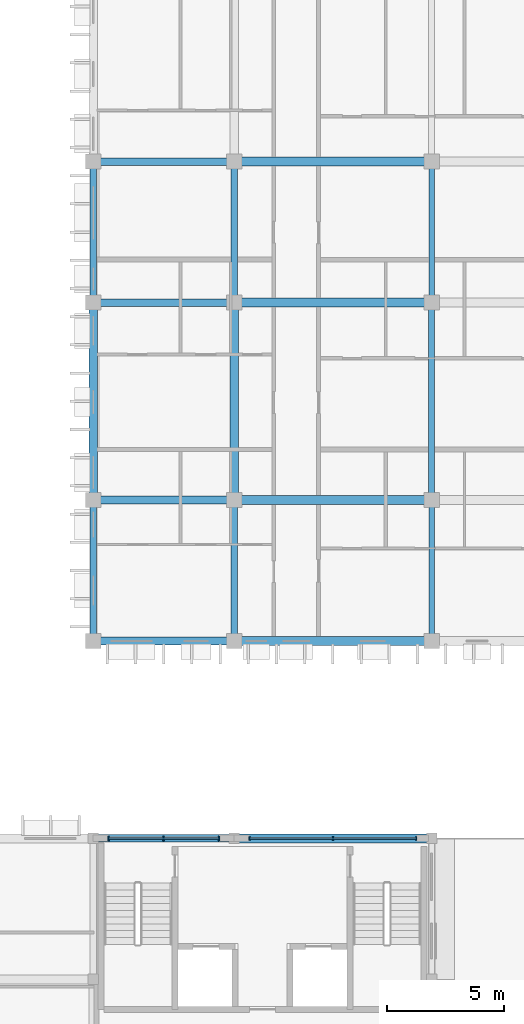
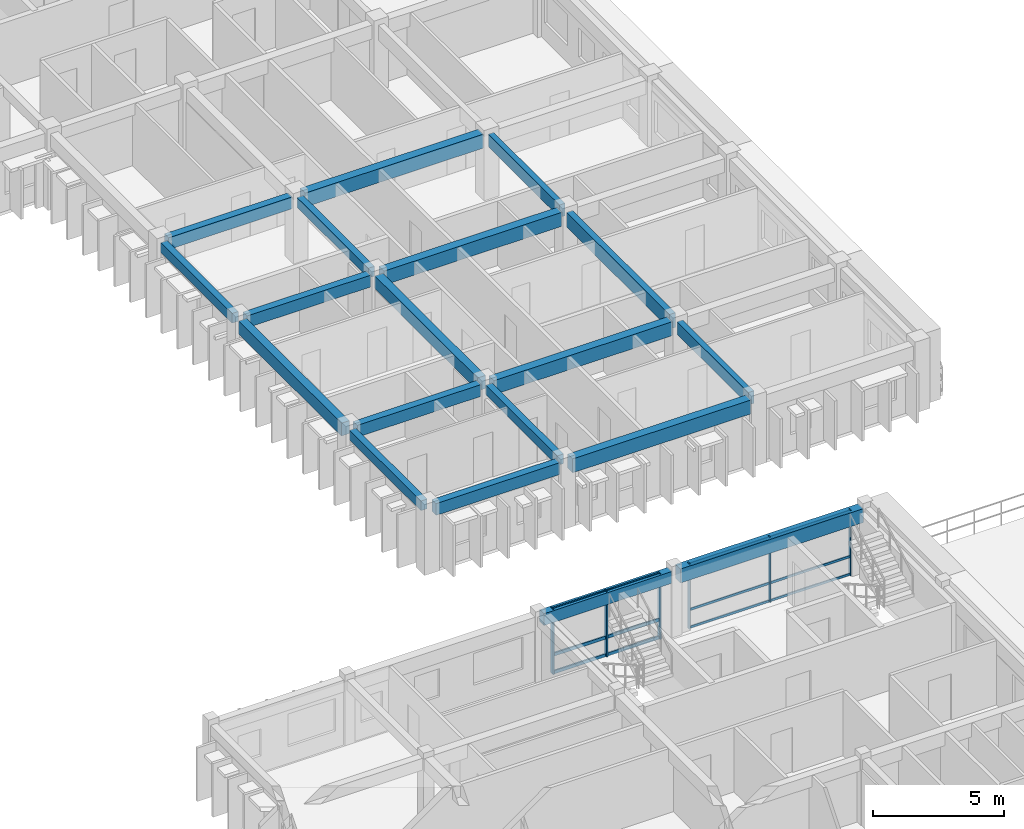
# One storey, part 7 of 66: 19 beams, 12 members, 2 elements without a shape of their own.
"""IFC4 building model written with IfcOpenShell, lengths in metres."""

from ifc_helpers import new_model, si_unit, direction, frame, origin, origin_2d, place, context, subcontext, project, spatial, rectangle, extrude, material, material_profile, profile_set, type_object, element, aggregate, save


model = new_model("IFC4")

# Units and contexts
model_context = context("Model", 3, precision=1e-05, world=origin(), true_north=direction((0.0, 1.0)))
body_context = subcontext(model_context, "Body", "Model", "MODEL_VIEW")
ifc_project = project(units=[si_unit("LENGTHUNIT", "METRE"), si_unit("AREAUNIT", "SQUARE_METRE"), si_unit("VOLUMEUNIT", "CUBIC_METRE"), si_unit("PLANEANGLEUNIT", "RADIAN"), si_unit("MASSUNIT", "GRAM", prefix="KILO"), si_unit("THERMODYNAMICTEMPERATUREUNIT", "KELVIN")], contexts=[model_context])

# Site, building, storey
site_placement = place(None, origin())
site = spatial("IfcSite", under=ifc_project, at=site_placement, CompositionType="ELEMENT")
building_placement = place(site_placement, origin())
building = spatial("IfcBuilding", under=site, at=building_placement, Name="Thalorik Housing Commons", CompositionType="ELEMENT")
storey_placement = place(building_placement, frame((0.0, 0.0, 21.300048828125)))
storey = spatial("IfcBuildingStorey", under=building, at=storey_placement, Name="L06", CompositionType="ELEMENT", Elevation=21.300048828125)

# Curtain wall, members
ifc_material_1 = material(Name="Anodised aluminium and solar-control low-E glass", Category="aluminium")
curtain_wall_type = type_object("IfcCurtainWallType", Name="ARC-CW-CORE", PredefinedType="USERDEFINED", material=ifc_material_1)
curtain_wall_1_placement = place(storey_placement, origin())
curtain_wall_1 = element("IfcCurtainWall", 1, at=curtain_wall_1_placement, inside=storey, type_object=curtain_wall_type, Name="L06 Curtain Wall CW-CORE-L06-D-198", ObjectType="CURTAIN WALL", PredefinedType="USERDEFINED")
ifc_material_2 = material(Name="Anodised aluminium 6063-T6", Category="aluminium")
ifc_material_profile_1 = material_profile(ifc_material_2, rectangle(XDim=0.054931640625, YDim=0.139892578125, at=origin_2d()), Name="ALU MUL 55x140", Category="aluminium")
ifc_profile_set_1 = profile_set([ifc_material_profile_1], Name="Anodised aluminium 6063-T6")
member_type_1 = type_object("IfcMemberType", Name="ARC-CW-MUL-55x140", PredefinedType="MULLION", material=ifc_profile_set_1)
member_1_placement = place(storey_placement, frame((166.14990234375, 72.0, 0.0), z_axis=(0.0, 0.0, 1.0), x_axis=(-1.0, 0.0, 0.0)))
member_1 = element("IfcMember", 2, at=member_1_placement, type_object=member_type_1, Name="CW-CORE-L06-D-198 Mullion 1", PredefinedType="MULLION", context=body_context, shape_type="SweptSolid", body=[
    extrude(rectangle(XDim=0.054931640625, YDim=0.139892578125, at=origin_2d()), origin(), (0.0, 0.0, 1.0), 3.0400390625),
])
member_2_placement = place(storey_placement, frame((162.60009765625, 72.0, 0.0), z_axis=(0.0, 0.0, 1.0), x_axis=(-1.0, 0.0, 0.0)))
member_2 = element("IfcMember", 3, at=member_2_placement, type_object=member_type_1, Name="CW-CORE-L06-D-198 Mullion 2", PredefinedType="MULLION", context=body_context, shape_type="SweptSolid", body=[
    extrude(rectangle(XDim=0.054931640625, YDim=0.139892578125, at=origin_2d()), origin(), (0.0, 0.0, 1.0), 3.0400390625),
])
member_3_placement = place(storey_placement, frame((159.050048828125, 72.0, 0.0), z_axis=(0.0, 0.0, 1.0), x_axis=(-1.0, 0.0, 0.0)))
member_3 = element("IfcMember", 4, at=member_3_placement, type_object=member_type_1, Name="CW-CORE-L06-D-198 Mullion 3", PredefinedType="MULLION", context=body_context, shape_type="SweptSolid", body=[
    extrude(rectangle(XDim=0.054931640625, YDim=0.139892578125, at=origin_2d()), origin(), (0.0, 0.0, 1.0), 3.0400390625),
])

curtain_wall_2_placement = place(storey_placement, origin())
curtain_wall_2 = element("IfcCurtainWall", 5, at=curtain_wall_2_placement, inside=storey, type_object=curtain_wall_type, Name="L06 Curtain Wall CW-CORE-L06-D-199", ObjectType="CURTAIN WALL", PredefinedType="USERDEFINED")
ifc_material_profile_2 = material_profile(ifc_material_2, rectangle(XDim=0.06494140625, YDim=0.179931640625, at=origin_2d()), Name="ALU MUL 65x180", Category="aluminium")
ifc_profile_set_2 = profile_set([ifc_material_profile_2], Name="Anodised aluminium 6063-T6")
member_type_2 = type_object("IfcMemberType", Name="ARC-CW-MUL-65x180", PredefinedType="MULLION", material=ifc_profile_set_2)
member_4_placement = place(storey_placement, frame((157.75, 72.0, 0.0), z_axis=(0.0, 0.0, 1.0), x_axis=(-1.0, 0.0, 0.0)))
member_4 = element("IfcMember", 6, at=member_4_placement, type_object=member_type_2, Name="CW-CORE-L06-D-199 Mullion 1", PredefinedType="MULLION", context=body_context, shape_type="SweptSolid", body=[
    extrude(rectangle(XDim=0.06494140625, YDim=0.179931640625, at=origin_2d()), origin(), (0.0, 0.0, 1.0), 3.0400390625),
])
member_5_placement = place(storey_placement, frame((155.39990234375, 72.0, 0.0), z_axis=(0.0, 0.0, 1.0), x_axis=(-1.0, 0.0, 0.0)))
member_5 = element("IfcMember", 7, at=member_5_placement, type_object=member_type_2, Name="CW-CORE-L06-D-199 Mullion 2", PredefinedType="MULLION", context=body_context, shape_type="SweptSolid", body=[
    extrude(rectangle(XDim=0.06494140625, YDim=0.179931640625, at=origin_2d()), origin(), (0.0, 0.0, 1.0), 3.0400390625),
])
member_6_placement = place(storey_placement, frame((153.050048828125, 72.0, 0.0), z_axis=(0.0, 0.0, 1.0), x_axis=(-1.0, 0.0, 0.0)))
member_6 = element("IfcMember", 8, at=member_6_placement, type_object=member_type_2, Name="CW-CORE-L06-D-199 Mullion 3", PredefinedType="MULLION", context=body_context, shape_type="SweptSolid", body=[
    extrude(rectangle(XDim=0.06494140625, YDim=0.179931640625, at=origin_2d()), origin(), (0.0, 0.0, 1.0), 3.0400390625),
])

# Member
ifc_material_profile_3 = material_profile(ifc_material_2, rectangle(XDim=0.054931640625, YDim=0.10498046875, at=origin_2d()), Name="ALU TRN 55x105", Category="aluminium")
ifc_profile_set_3 = profile_set([ifc_material_profile_3], Name="Anodised aluminium 6063-T6")
member_type_3 = type_object("IfcMemberType", Name="ARC-CW-TRN-55x105", PredefinedType="USERDEFINED", material=ifc_profile_set_3)
member_7_placement = place(storey_placement, frame((166.14990234375, 72.0, 0.054931640625), z_axis=(-1.0, 0.0, 0.0), x_axis=(0.0, -1.0, 0.0)))
member_7 = element("IfcMember", 9, at=member_7_placement, type_object=member_type_3, Name="CW-CORE-L06-D-198 Transom 1", ObjectType="TRANSOM", PredefinedType="USERDEFINED", context=body_context, shape_type="SweptSolid", body=[
    extrude(rectangle(XDim=0.054931640625, YDim=0.10498046875, at=origin_2d()), origin(), (0.0, 0.0, 1.0), 7.099853515625),
])

member_8_placement = place(storey_placement, frame((166.14990234375, 72.0, 0.8798828125), z_axis=(-1.0, 0.0, 0.0), x_axis=(0.0, -1.0, 0.0)))
member_8 = element("IfcMember", 10, at=member_8_placement, type_object=member_type_3, Name="CW-CORE-L06-D-198 Transom 2", ObjectType="TRANSOM", PredefinedType="USERDEFINED", context=body_context, shape_type="SweptSolid", body=[
    extrude(rectangle(XDim=0.054931640625, YDim=0.10498046875, at=origin_2d()), origin(), (0.0, 0.0, 1.0), 7.099853515625),
])

member_9_placement = place(storey_placement, frame((166.14990234375, 72.0, 2.98486328125), z_axis=(-1.0, 0.0, 0.0), x_axis=(0.0, -1.0, 0.0)))
member_9 = element("IfcMember", 11, at=member_9_placement, type_object=member_type_3, Name="CW-CORE-L06-D-198 Transom 3", ObjectType="TRANSOM", PredefinedType="USERDEFINED", context=body_context, shape_type="SweptSolid", body=[
    extrude(rectangle(XDim=0.054931640625, YDim=0.10498046875, at=origin_2d()), origin(), (0.0, 0.0, 1.0), 7.099853515625),
])

aggregate(curtain_wall_1, [member_1, member_2, member_3, member_7, member_8, member_9])

ifc_material_profile_4 = material_profile(ifc_material_2, rectangle(XDim=0.06494140625, YDim=0.14990234375, at=origin_2d()), Name="ALU TRN 65x150", Category="aluminium")
ifc_profile_set_4 = profile_set([ifc_material_profile_4], Name="Anodised aluminium 6063-T6")
member_type_4 = type_object("IfcMemberType", Name="ARC-CW-TRN-65x150", PredefinedType="USERDEFINED", material=ifc_profile_set_4)
member_10_placement = place(storey_placement, frame((157.75, 72.0, 0.054931640625), z_axis=(-1.0, 0.0, 0.0), x_axis=(0.0, -1.0, 0.0)))
member_10 = element("IfcMember", 12, at=member_10_placement, type_object=member_type_4, Name="CW-CORE-L06-D-199 Transom 1", ObjectType="TRANSOM", PredefinedType="USERDEFINED", context=body_context, shape_type="SweptSolid", body=[
    extrude(rectangle(XDim=0.06494140625, YDim=0.14990234375, at=origin_2d()), origin(), (0.0, 0.0, 1.0), 4.699951171875),
])

member_11_placement = place(storey_placement, frame((157.75, 72.0, 0.8798828125), z_axis=(-1.0, 0.0, 0.0), x_axis=(0.0, -1.0, 0.0)))
member_11 = element("IfcMember", 13, at=member_11_placement, type_object=member_type_4, Name="CW-CORE-L06-D-199 Transom 2", ObjectType="TRANSOM", PredefinedType="USERDEFINED", context=body_context, shape_type="SweptSolid", body=[
    extrude(rectangle(XDim=0.06494140625, YDim=0.14990234375, at=origin_2d()), origin(), (0.0, 0.0, 1.0), 4.699951171875),
])

member_12_placement = place(storey_placement, frame((157.75, 72.0, 2.98486328125), z_axis=(-1.0, 0.0, 0.0), x_axis=(0.0, -1.0, 0.0)))
member_12 = element("IfcMember", 14, at=member_12_placement, type_object=member_type_4, Name="CW-CORE-L06-D-199 Transom 3", ObjectType="TRANSOM", PredefinedType="USERDEFINED", context=body_context, shape_type="SweptSolid", body=[
    extrude(rectangle(XDim=0.06494140625, YDim=0.14990234375, at=origin_2d()), origin(), (0.0, 0.0, 1.0), 4.699951171875),
])

aggregate(curtain_wall_2, [member_4, member_5, member_6, member_10, member_11, member_12])

# Beams
ifc_material_3 = material(Name="Precast concrete C40/50", Category="concrete")
ifc_material_profile_5 = material_profile(ifc_material_3, rectangle(XDim=0.280029296875, YDim=0.449951171875, at=origin_2d()), Name="PC 280x450", Category="concrete")
ifc_profile_set_5 = profile_set([ifc_material_profile_5], Name="Precast concrete C40/50")
beam_type_1 = type_object("IfcBeamType", Name="STR-BM-PC280x450", PredefinedType="BEAM", material=ifc_profile_set_5)
for number, where, z_axis, x_axis, name in (
    (15, (152.39990234375, 80.675048828125, 2.81494140625), (0.0, 1.0, 0.0), (-1.0, 0.0, 0.0), "L06 Beam B-450"),
    (16, (152.39990234375, 95.074951171875, 2.81494140625), (0.0, 1.0, 0.0), (-1.0, 0.0, 0.0), "L06 Beam B-450"),
    (17, (158.39990234375, 80.675048828125, 2.81494140625), (0.0, 1.0, 0.0), (-1.0, 0.0, 0.0), "L06 Beam B-450"),
    (18, (158.39990234375, 95.074951171875, 2.81494140625), (0.0, 1.0, 0.0), (-1.0, 0.0, 0.0), "L06 Beam B-450"),
):
    element("IfcBeam", number, at=place(storey_placement, frame(where, z_axis=z_axis, x_axis=x_axis)), inside=storey, type_object=beam_type_1, Name=name, PredefinedType="BEAM", context=body_context, shape_type="SweptSolid", body=[
        extrude(rectangle(XDim=0.280029296875, YDim=0.449951171875, at=origin_2d()), origin(), (0.0, 0.0, 1.0), 5.449951171875),
    ])
ifc_material_profile_6 = material_profile(ifc_material_3, rectangle(XDim=0.320068359375, YDim=0.550048828125, at=origin_2d()), Name="PC 320x550", Category="concrete")
ifc_profile_set_6 = profile_set([ifc_material_profile_6], Name="Precast concrete C40/50")
beam_type_2 = type_object("IfcBeamType", Name="STR-BM-PC320x550", PredefinedType="BEAM", material=ifc_profile_set_6)
beam_1_placement = place(storey_placement, frame((152.574951171875, 72.0, 2.764892578125), z_axis=(1.0, 0.0, 0.0), x_axis=(0.0, 1.0, 0.0)))
element("IfcBeam", 19, at=beam_1_placement, inside=storey, type_object=beam_type_2, Name="L06 Beam B-550", PredefinedType="BEAM", context=body_context, shape_type="SweptSolid", body=[
    extrude(rectangle(XDim=0.320068359375, YDim=0.550048828125, at=origin_2d()), origin(), (0.0, 0.0, 1.0), 5.650146484375),
])
for number, where, z_axis, x_axis, name in (
    (20, (152.675048828125, 80.39990234375, 2.764892578125), (1.0, 0.0, 0.0), (0.0, 1.0, 0.0), "L06 Beam B-550"),
    (21, (152.675048828125, 86.39990234375, 2.764892578125), (1.0, 0.0, 0.0), (0.0, 1.0, 0.0), "L06 Beam B-550"),
    (22, (152.675048828125, 94.800048828125, 2.764892578125), (1.0, 0.0, 0.0), (0.0, 1.0, 0.0), "L06 Beam B-550"),
    (23, (152.675048828125, 100.800048828125, 2.764892578125), (1.0, 0.0, 0.0), (0.0, 1.0, 0.0), "L06 Beam B-550"),
):
    element("IfcBeam", number, at=place(storey_placement, frame(where, z_axis=z_axis, x_axis=x_axis)), inside=storey, type_object=beam_type_2, Name=name, PredefinedType="BEAM", context=body_context, shape_type="SweptSolid", body=[
        extrude(rectangle(XDim=0.320068359375, YDim=0.550048828125, at=origin_2d()), origin(), (0.0, 0.0, 1.0), 5.449951171875),
    ])
ifc_material_profile_7 = material_profile(ifc_material_3, rectangle(XDim=0.35009765625, YDim=0.60009765625, at=origin_2d()), Name="PC 350x600", Category="concrete")
ifc_profile_set_7 = profile_set([ifc_material_profile_7], Name="Precast concrete C40/50")
beam_type_3 = type_object("IfcBeamType", Name="STR-BM-PC350x600", PredefinedType="BEAM", material=ifc_profile_set_7)
for number, where, z_axis, x_axis, name in (
    (24, (152.39990234375, 86.675048828125, 2.739990234375), (0.0, 1.0, 0.0), (-1.0, 0.0, 0.0), "L06 Beam B-600"),
    (25, (158.39990234375, 86.675048828125, 2.739990234375), (0.0, 1.0, 0.0), (-1.0, 0.0, 0.0), "L06 Beam B-600"),
):
    element("IfcBeam", number, at=place(storey_placement, frame(where, z_axis=z_axis, x_axis=x_axis)), inside=storey, type_object=beam_type_3, Name=name, PredefinedType="BEAM", context=body_context, shape_type="SweptSolid", body=[
        extrude(rectangle(XDim=0.35009765625, YDim=0.60009765625, at=origin_2d()), origin(), (0.0, 0.0, 1.0), 7.849853515625),
    ])
ifc_material_profile_8 = material_profile(ifc_material_3, rectangle(XDim=0.3798828125, YDim=0.64990234375, at=origin_2d()), Name="PC 380x650", Category="concrete")
ifc_profile_set_8 = profile_set([ifc_material_profile_8], Name="Precast concrete C40/50")
beam_type_4 = type_object("IfcBeamType", Name="STR-BM-PC380x650", PredefinedType="BEAM", material=ifc_profile_set_8)
beam_2_placement = place(storey_placement, frame((158.574951171875, 72.0, 2.71484375), z_axis=(1.0, 0.0, 0.0), x_axis=(0.0, 1.0, 0.0)))
element("IfcBeam", 26, at=beam_2_placement, inside=storey, type_object=beam_type_4, Name="L06 Beam B-650", PredefinedType="BEAM", context=body_context, shape_type="SweptSolid", body=[
    extrude(rectangle(XDim=0.3798828125, YDim=0.64990234375, at=origin_2d()), origin(), (0.0, 0.0, 1.0), 8.050048828125),
])
for number, where, z_axis, x_axis, name in (
    (27, (158.675048828125, 80.39990234375, 2.71484375), (1.0, 0.0, 0.0), (0.0, 1.0, 0.0), "L06 Beam B-650"),
    (28, (158.675048828125, 86.39990234375, 2.71484375), (1.0, 0.0, 0.0), (0.0, 1.0, 0.0), "L06 Beam B-650"),
    (29, (158.675048828125, 94.800048828125, 2.71484375), (1.0, 0.0, 0.0), (0.0, 1.0, 0.0), "L06 Beam B-650"),
    (30, (158.675048828125, 100.800048828125, 2.71484375), (1.0, 0.0, 0.0), (0.0, 1.0, 0.0), "L06 Beam B-650"),
):
    element("IfcBeam", number, at=place(storey_placement, frame(where, z_axis=z_axis, x_axis=x_axis)), inside=storey, type_object=beam_type_4, Name=name, PredefinedType="BEAM", context=body_context, shape_type="SweptSolid", body=[
        extrude(rectangle(XDim=0.3798828125, YDim=0.64990234375, at=origin_2d()), origin(), (0.0, 0.0, 1.0), 7.849853515625),
    ])
ifc_material_profile_9 = material_profile(ifc_material_3, rectangle(XDim=0.239990234375, YDim=0.580078125, at=origin_2d()), Name="PC SP 240x580", Category="concrete")
ifc_profile_set_9 = profile_set([ifc_material_profile_9], Name="Precast concrete C40/50")
beam_type_5 = type_object("IfcBeamType", Name="STR-SP-PC240x580", PredefinedType="SPANDREL", material=ifc_profile_set_9)
for number, where, z_axis, x_axis, name in (
    (31, (166.800048828125, 80.675048828125, 2.75), (0.0, 1.0, 0.0), (-1.0, 0.0, 0.0), "L06 Beam B-450"),
    (32, (166.800048828125, 95.074951171875, 2.75), (0.0, 1.0, 0.0), (-1.0, 0.0, 0.0), "L06 Beam B-450"),
):
    element("IfcBeam", number, at=place(storey_placement, frame(where, z_axis=z_axis, x_axis=x_axis)), inside=storey, type_object=beam_type_5, Name=name, PredefinedType="SPANDREL", context=body_context, shape_type="SweptSolid", body=[
        extrude(rectangle(XDim=0.239990234375, YDim=0.580078125, at=origin_2d()), origin(), (0.0, 0.0, 1.0), 5.449951171875),
    ])
ifc_material_profile_10 = material_profile(ifc_material_3, rectangle(XDim=0.260009765625, YDim=0.679931640625, at=origin_2d()), Name="PC SP 260x680", Category="concrete")
ifc_profile_set_10 = profile_set([ifc_material_profile_10], Name="Precast concrete C40/50")
beam_type_6 = type_object("IfcBeamType", Name="STR-SP-PC260x680", PredefinedType="SPANDREL", material=ifc_profile_set_10)
beam_3_placement = place(storey_placement, frame((166.800048828125, 86.675048828125, 2.699951171875), z_axis=(0.0, 1.0, 0.0), x_axis=(-1.0, 0.0, 0.0)))
element("IfcBeam", 33, at=beam_3_placement, inside=storey, type_object=beam_type_6, Name="L06 Beam B-600", PredefinedType="SPANDREL", context=body_context, shape_type="SweptSolid", body=[
    extrude(rectangle(XDim=0.260009765625, YDim=0.679931640625, at=origin_2d()), origin(), (0.0, 0.0, 1.0), 7.849853515625),
])

save(model, "model.ifc")
